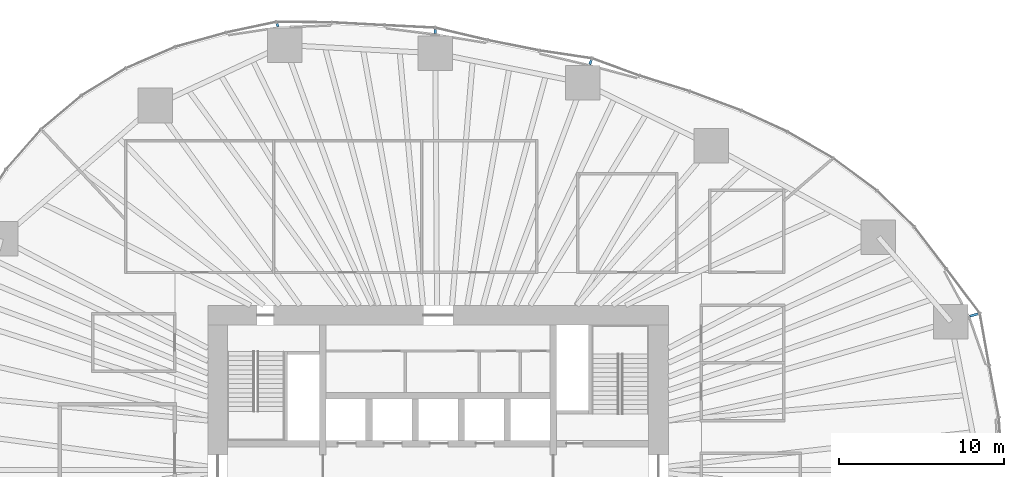
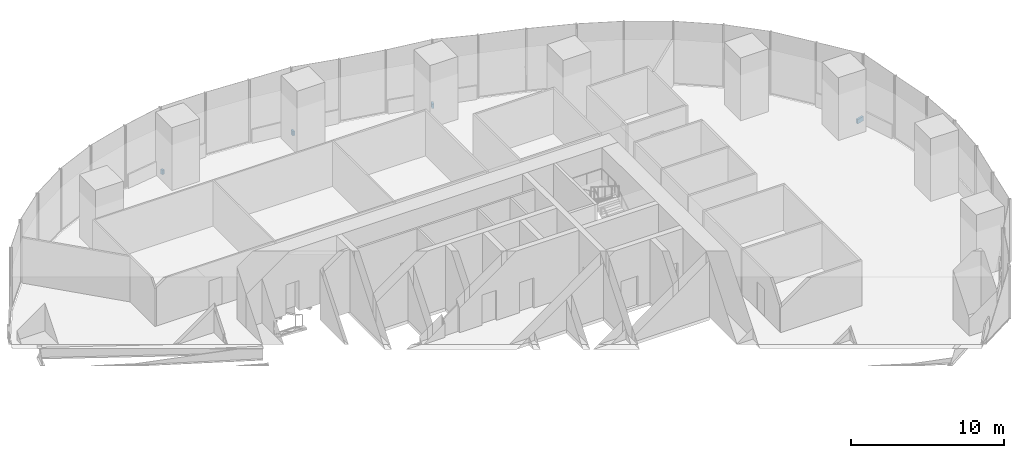
# One storey, part 15 of 20: 4 discrete accessories.
"""IFC4 building model written with IfcOpenShell, lengths in metres."""

from ifc_helpers import new_model, si_unit, direction, frame, origin, origin_2d, place, context, subcontext, project, spatial, rectangle, extrude, material, type_object, element, save


model = new_model("IFC4")

# Units and contexts
model_context = context("Model", 3, precision=1e-05, world=origin(), true_north=direction((0.0, 1.0)))
body_context = subcontext(model_context, "Body", "Model", "MODEL_VIEW")
ifc_project = project(units=[si_unit("LENGTHUNIT", "METRE"), si_unit("AREAUNIT", "SQUARE_METRE"), si_unit("VOLUMEUNIT", "CUBIC_METRE"), si_unit("PLANEANGLEUNIT", "RADIAN"), si_unit("MASSUNIT", "GRAM", prefix="KILO")], contexts=[model_context])

# Site, building, storey
site_placement = place(None, origin())
site = spatial("IfcSite", under=ifc_project, at=site_placement, CompositionType="ELEMENT")
building_placement = place(site_placement, origin())
building = spatial("IfcBuilding", under=site, at=building_placement, Name="Ghaith Harvest Tower", CompositionType="ELEMENT")
storey_placement = place(building_placement, frame((0.0, 0.0, 20.0)))
storey = spatial("IfcBuildingStorey", under=building, at=storey_placement, Name="L04", CompositionType="ELEMENT", Elevation=20.0)

# Discrete accessories
ifc_material_1 = material(Name="Stainless steel grade 1.4401", Category="steel")
discrete_accessory_type_1 = type_object("IfcDiscreteAccessoryType", Name="CURTAIN WALL BRACKET 205", PredefinedType="BRACKET", material=ifc_material_1)
discrete_accessory_1_placement = place(storey_placement, frame((-9.766845703125, 27.04150390625, -0.25), z_axis=(0.0, 0.0, 1.0), x_axis=(-0.339699453402, 0.94053404051, 0.0)))
element("IfcDiscreteAccessory", 1, at=discrete_accessory_1_placement, inside=storey, type_object=discrete_accessory_type_1, Name="CW-F bracket 1 bay 07 L04", PredefinedType="BRACKET", context=body_context, shape_type="SweptSolid", body=[
    extrude(rectangle(XDim=0.205078125, YDim=0.14990234375, at=origin_2d()), origin(), (0.0, 0.0, 1.0), 0.35009765625),
])
ifc_material_2 = material(Name="Stainless steel grade 1.4401", Category="steel")
discrete_accessory_type_2 = type_object("IfcDiscreteAccessoryType", Name="CURTAIN WALL BRACKET 255", PredefinedType="BRACKET", material=ifc_material_2)
discrete_accessory_2_placement = place(storey_placement, frame((-0.182373046875, 26.649658203125, -0.25), z_axis=(0.0, 0.0, 1.0), x_axis=(-0.006843747783, 0.999976581284, 0.0)))
element("IfcDiscreteAccessory", 2, at=discrete_accessory_2_placement, inside=storey, type_object=discrete_accessory_type_2, Name="CW-F bracket 1 bay 06 L04", PredefinedType="BRACKET", context=body_context, shape_type="SweptSolid", body=[
    extrude(rectangle(XDim=0.2548828125, YDim=0.14990234375, at=origin_2d()), origin(), (0.0, 0.0, 1.0), 0.35009765625),
])
ifc_material_3 = material(Name="Stainless steel grade 1.4401", Category="steel")
discrete_accessory_type_3 = type_object("IfcDiscreteAccessoryType", Name="CURTAIN WALL BRACKET 295", PredefinedType="BRACKET", material=ifc_material_3)
discrete_accessory_3_placement = place(storey_placement, frame((9.265380859375, 24.7841796875, -0.25), z_axis=(0.0, 0.0, 1.0), x_axis=(0.35016769709, 0.936687025593, 0.0)))
element("IfcDiscreteAccessory", 3, at=discrete_accessory_3_placement, inside=storey, type_object=discrete_accessory_type_3, Name="CW-F bracket 1 bay 05 L04", PredefinedType="BRACKET", context=body_context, shape_type="SweptSolid", body=[
    extrude(rectangle(XDim=0.294921875, YDim=0.14990234375, at=origin_2d()), origin(), (0.0, 0.0, 1.0), 0.35009765625),
])
ifc_material_4 = material(Name="Stainless steel grade 1.4401", Category="steel")
discrete_accessory_type_4 = type_object("IfcDiscreteAccessoryType", Name="CURTAIN WALL BRACKET 535", PredefinedType="BRACKET", material=ifc_material_4)
discrete_accessory_4_placement = place(storey_placement, frame((32.570556640625, 9.41357421875, -0.25), z_axis=(0.0, 0.0, 1.0), x_axis=(0.960680349985, 0.277656739792, 0.0)))
element("IfcDiscreteAccessory", 4, at=discrete_accessory_4_placement, inside=storey, type_object=discrete_accessory_type_4, Name="CW-F bracket 1 bay 02 L04", PredefinedType="BRACKET", context=body_context, shape_type="SweptSolid", body=[
    extrude(rectangle(XDim=0.534912109375, YDim=0.14990234375, at=origin_2d()), origin(), (0.0, 0.0, 1.0), 0.35009765625),
])

save(model, "model.ifc")
